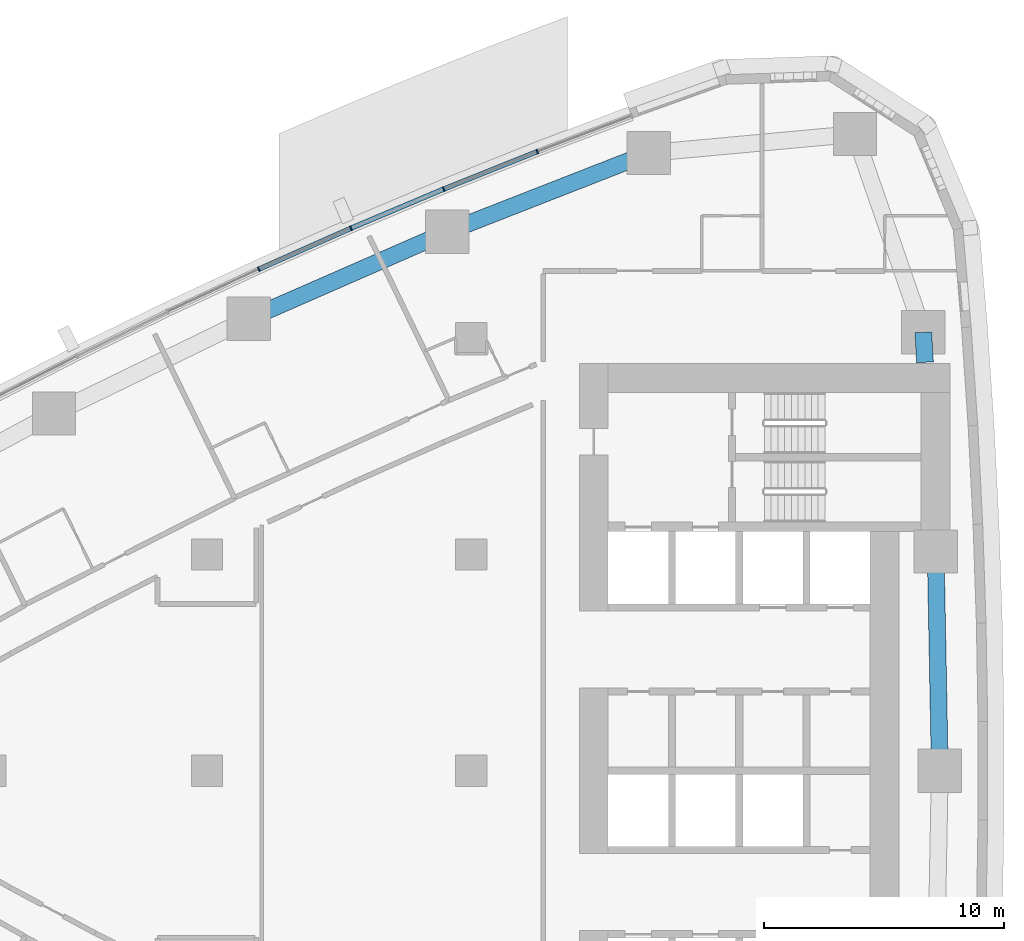
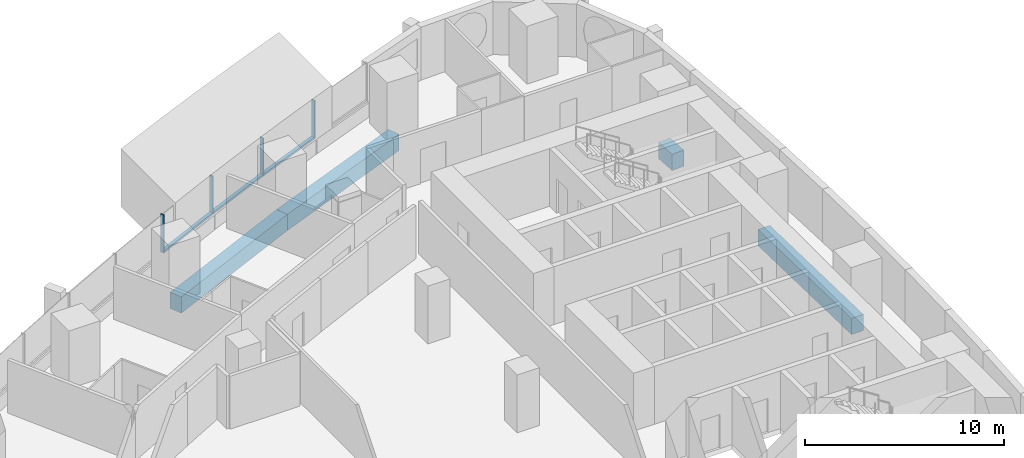
# One storey, part 6 of 18: 7 members, 4 beams, 2 elements without a shape of their own.
"""IFC4 building model written with IfcOpenShell, lengths in metres."""

import ifcopenshell
import ifcopenshell.guid

model = None  # the IFC model being written
_history = None  # IfcOwnerHistory: only IFC2X3 demands one
_inside = {}  # id of a spatial element -> (the spatial element, [elements in it])
_under = {}  # id of a project, library or spatial element -> (it, [spatial elements below it])
_declared = {}  # id of a project -> (the project, [libraries it declares])
_typed = {}  # id of a type object -> (the type object, [elements of that type])
_made_of = {}  # id of a material, layer set ... -> (it, [elements and type objects made of it])


def new_model(schema):
    """Start an empty IFC model of exactly this schema.

    Asked for "IFC4X3", IfcOpenShell would pick the latest addendum, in which some entities
    have other attributes; the version numbers below select the first issue.
    IFC2X3 requires an IfcOwnerHistory on every rooted entity: one is made here for all.
    """
    global model, _history
    if schema == "IFC4X3":
        model = ifcopenshell.file(schema_version=(4, 3, 0, 0))
    else:
        model = ifcopenshell.file(schema=schema)
    _inside.clear()
    _under.clear()
    _declared.clear()
    _typed.clear()
    _made_of.clear()
    _history = None
    if model.schema == "IFC2X3":
        org = make("IfcOrganization", Name="unknown")
        user = make(
            "IfcPersonAndOrganization",
            ThePerson=make("IfcPerson", FamilyName="unknown"),
            TheOrganization=org,
        )
        app = make(
            "IfcApplication",
            ApplicationDeveloper=org,
            Version="unknown",
            ApplicationFullName="unknown",
            ApplicationIdentifier="unknown",
        )
        _history = make(
            "IfcOwnerHistory",
            OwningUser=user,
            OwningApplication=app,
            ChangeAction="ADDED",
            CreationDate=0,
        )
    return model


def make(cls, **values):
    """One entity of the class cls with the attributes given. An attribute that is None is left unset."""
    return model.create_entity(
        cls, **{name: value for name, value in values.items() if value is not None}
    )


def rooted(cls, **values):
    """An entity with a GlobalId (a new one), such as an element, a storey or a relation."""
    return make(cls, GlobalId=ifcopenshell.guid.new(), OwnerHistory=_history, **values)


def si_unit(unit_type, name, prefix=None):
    """IfcSIUnit, for example si_unit("LENGTHUNIT", "METRE", prefix="MILLI")."""
    return make("IfcSIUnit", UnitType=unit_type, Prefix=prefix, Name=name)


def assignment(units):
    """IfcUnitAssignment: the units of a project."""
    return None if units is None else make("IfcUnitAssignment", Units=units)


def point(xyz):
    """IfcCartesianPoint."""
    return None if xyz is None else make("IfcCartesianPoint", Coordinates=xyz)


def direction(xyz):
    """IfcDirection."""
    return None if xyz is None else make("IfcDirection", DirectionRatios=xyz)


def frame(location, z_axis=None, x_axis=None):
    """IfcAxis2Placement3D, a coordinate frame: its origin and axes. An axis left out is left unset."""
    return make(
        "IfcAxis2Placement3D",
        Location=point(location),
        Axis=direction(z_axis),
        RefDirection=direction(x_axis),
    )


def frame_2d(location, x_axis=None):
    """IfcAxis2Placement2D, a coordinate frame in the plane: its origin and x axis."""
    return make(
        "IfcAxis2Placement2D", Location=point(location), RefDirection=direction(x_axis)
    )


def origin():
    """The frame at (0, 0, 0) with its axes left unset."""
    return frame((0.0, 0.0, 0.0))


def origin_2d():
    """The frame at (0, 0) in the plane with its x axis left unset."""
    return frame_2d((0.0, 0.0))


def place(relative_to, where):
    """IfcLocalPlacement: puts the frame where relative to a parent placement (None: the world)."""
    return make(
        "IfcLocalPlacement", PlacementRelTo=relative_to, RelativePlacement=where
    )


def context(
    kind, dimensions, precision=None, world=None, true_north=None, identifier=None
):
    """IfcGeometricRepresentationContext, for example the 3D "Model" context."""
    return make(
        "IfcGeometricRepresentationContext",
        ContextIdentifier=identifier,
        ContextType=kind,
        CoordinateSpaceDimension=dimensions,
        Precision=precision,
        WorldCoordinateSystem=world,
        TrueNorth=true_north,
    )


def subcontext(parent, identifier, kind, view, scale=None):
    """IfcGeometricRepresentationSubContext, for example "Body" below "Model"."""
    return make(
        "IfcGeometricRepresentationSubContext",
        ContextIdentifier=identifier,
        ContextType=kind,
        ParentContext=parent,
        TargetScale=scale,
        TargetView=view,
    )


def project(units=None, contexts=None):
    """IfcProject with its units and contexts."""
    return rooted(
        "IfcProject",
        Name="project",
        RepresentationContexts=contexts,
        UnitsInContext=assignment(units),
    )


def spatial(cls, under=None, at=None, **own):
    """A site, building, storey or space (cls), placed at a placement, below another one or the project."""
    s = rooted(cls, ObjectPlacement=at, **own)
    if under is not None:
        _under.setdefault(under.id(), (under, []))[1].append(s)
    return s


def profile(cls, at=None, kind="AREA", **sizes):
    """A parametric profile (cls). Its sizes go by their IFC names, for example OverallWidth=200.0."""
    return make(cls, ProfileType=kind, Position=at, **sizes)


def rectangle(**sizes):
    """IfcRectangleProfileDef."""
    return profile("IfcRectangleProfileDef", **sizes)


def extrude(swept, where, along, depth):
    """IfcExtrudedAreaSolid: the profile swept, set in the frame where, extruded along a direction by depth."""
    return make(
        "IfcExtrudedAreaSolid",
        SweptArea=swept,
        Position=where,
        ExtrudedDirection=direction(along),
        Depth=depth,
    )


def shape(context_of_items, identifier, shape_type, items):
    """IfcShapeRepresentation: the items that make up one representation, for example the "Body"."""
    return make(
        "IfcShapeRepresentation",
        ContextOfItems=context_of_items,
        RepresentationIdentifier=identifier,
        RepresentationType=shape_type,
        Items=items,
    )


def material(Name=None, Category=None):
    """IfcMaterial."""
    return make("IfcMaterial", Name=Name, Category=Category)


def layer(
    of_material, thickness, ventilated=None, Name=None, Category=None, Priority=None
):
    """IfcMaterialLayer: one layer of a wall or slab, of a material (None: an air gap)."""
    return make(
        "IfcMaterialLayer",
        Material=of_material,
        LayerThickness=thickness,
        IsVentilated=ventilated,
        Name=Name,
        Category=Category,
        Priority=Priority,
    )


def layer_set(layers, Name=None):
    """IfcMaterialLayerSet."""
    return make("IfcMaterialLayerSet", MaterialLayers=layers, LayerSetName=Name)


def material_profile(
    of_material, cross_section, Name=None, Category=None, Priority=None
):
    """IfcMaterialProfile: a cross section and its material."""
    return make(
        "IfcMaterialProfile",
        Name=Name,
        Material=of_material,
        Profile=cross_section,
        Priority=Priority,
        Category=Category,
    )


def profile_set(profiles, Name=None, composite=None):
    """IfcMaterialProfileSet."""
    return make(
        "IfcMaterialProfileSet",
        Name=Name,
        MaterialProfiles=profiles,
        CompositeProfile=composite,
    )


def made_of(thing, what):
    """Note that an element or type object is made of a material, layer set ...; save() writes the relation."""
    if what is not None:
        _made_of.setdefault(what.id(), (what, []))[1].append(thing)
    return thing


def type_object(cls, material=None, **own):
    """A type object (cls), such as IfcWallType, which elements share."""
    return made_of(rooted(cls, **own), material)


def element(
    cls,
    number,
    at=None,
    inside=None,
    cuts=None,
    type_object=None,
    material=None,
    context=None,
    identifier="Body",
    shape_type=None,
    held_by="IfcProductDefinitionShape",
    body=None,
    shapes=None,
    **own,
):
    """One element of the class cls, such as IfcWall. Its Tag is "e" and its number.

    at: its placement. inside: the storey or other place that contains it. cuts: it is an
    opening in that element (IfcRelVoidsElement). A single representation is given by context,
    identifier, shape_type and body (its items); several are given by shapes. held_by: the class
    of the entity that holds the representations. save() writes the other relations.
    """
    e = rooted(cls, Tag="e%d" % number, ObjectPlacement=at, **own)
    if body is not None:
        shapes = [shape(context, identifier, shape_type, body)]
    if shapes is not None:
        e.Representation = make(held_by, Representations=shapes)
    if inside is not None:
        _inside.setdefault(inside.id(), (inside, []))[1].append(e)
    if cuts is not None:
        rooted(
            "IfcRelVoidsElement", RelatingBuildingElement=cuts, RelatedOpeningElement=e
        )
    if type_object is not None:
        _typed.setdefault(type_object.id(), (type_object, []))[1].append(e)
    return made_of(e, material)


def aggregate(whole, parts):
    """IfcRelAggregates: a whole, such as a stair, and the parts it consists of."""
    return rooted("IfcRelAggregates", RelatingObject=whole, RelatedObjects=parts)


def save(model, path):
    """Write the relations noted so far, then the file.

    IfcRelAggregates (storeys below a building ...), IfcRelContainedInSpatialStructure (elements
    in a storey), IfcRelDefinesByType, IfcRelAssociatesMaterial and IfcRelDeclares: one each for
    every whole, place, type object, material and project.
    """
    for whole, parts in _under.values():
        aggregate(whole, parts)
    for where, things in _inside.values():
        rooted(
            "IfcRelContainedInSpatialStructure",
            RelatedElements=things,
            RelatingStructure=where,
        )
    for kind, things in _typed.values():
        rooted("IfcRelDefinesByType", RelatedObjects=things, RelatingType=kind)
    for what, things in _made_of.values():
        rooted("IfcRelAssociatesMaterial", RelatedObjects=things, RelatingMaterial=what)
    for by, libraries in _declared.values():
        rooted("IfcRelDeclares", RelatingContext=by, RelatedDefinitions=libraries)
    model.write(path)


model = new_model("IFC4")

# Units and contexts
model_context = context("Model", 3, precision=1e-05, world=origin(), true_north=direction((0.0, 1.0)))
body_context = subcontext(model_context, "Body", "Model", "MODEL_VIEW")
ifc_project = project(units=[si_unit("LENGTHUNIT", "METRE"), si_unit("AREAUNIT", "SQUARE_METRE"), si_unit("VOLUMEUNIT", "CUBIC_METRE"), si_unit("PLANEANGLEUNIT", "RADIAN"), si_unit("MASSUNIT", "GRAM", prefix="KILO")], contexts=[model_context])

# Site, building, storey
site_placement = place(None, origin())
site = spatial("IfcSite", under=ifc_project, at=site_placement, CompositionType="ELEMENT")
building_placement = place(site_placement, origin())
building = spatial("IfcBuilding", under=site, at=building_placement, Name="Ostrand Prow Hotel Tower", CompositionType="ELEMENT")
storey_placement = place(building_placement, frame((0.0, 0.0, 57.35009765625)))
storey = spatial("IfcBuildingStorey", under=building, at=storey_placement, Name="L12", CompositionType="ELEMENT", Elevation=57.35009765625)

# Beams
ifc_material_1 = material(Name="Concrete C80/95", Category="concrete")
ifc_material_profile_1 = material_profile(ifc_material_1, rectangle(XDim=0.699951171875, YDim=1.0, at=origin_2d()), Name="RC 700x1000")
ifc_profile_set_1 = profile_set([ifc_material_profile_1], Name="Concrete C80/95")
beam_type = type_object("IfcBeamType", Name="Edge beam 700x1000 C80/95", PredefinedType="SPANDREL", material=ifc_profile_set_1)
beam_1_placement = place(storey_placement, frame((64.5, 0.0, -0.800048828125), z_axis=(-0.018793471688, 0.999823387115, 0.0), x_axis=(-0.999823387115, -0.018793471688, 0.0)))
element("IfcBeam", 1, at=beam_1_placement, inside=storey, type_object=beam_type, Name="Edge beam B3-B4", PredefinedType="SPANDREL", context=body_context, shape_type="SweptSolid", body=[
    extrude(rectangle(XDim=0.699951171875, YDim=1.0, at=origin_2d()), origin(), (0.0, 0.0, 1.0), 9.132568359375),
])
beam_2_placement = place(storey_placement, frame((63.8837890625, 17.0, -0.800048828125), z_axis=(-0.056215946509, 0.998418633319, 0.0), x_axis=(-0.998418633319, -0.056215946509, 0.0)))
element("IfcBeam", 2, at=beam_2_placement, inside=storey, type_object=beam_type, Name="Edge beam B4-B5", PredefinedType="SPANDREL", context=body_context, shape_type="SweptSolid", body=[
    extrude(rectangle(XDim=0.699951171875, YDim=1.0, at=origin_2d()), origin(), (0.0, 0.0, 1.0), 1.250732421875),
])
for number, where, z_axis, x_axis, name in (
    (3, (52.3916015625, 25.710205078125, -0.800048828125), (-0.931329480916, -0.364177701098, 0.0), (0.364177701098, -0.931329480916, 0.0), "Edge beam N1-N2"),
    (4, (43.997802734375, 22.427978515625, -0.800048828125), (-0.916095776162, -0.400959510297, 0.0), (0.400959510297, -0.916095776162, 0.0), "Edge beam N2-N3"),
):
    element("IfcBeam", number, at=place(storey_placement, frame(where, z_axis=z_axis, x_axis=x_axis)), inside=storey, type_object=beam_type, Name=name, PredefinedType="SPANDREL", context=body_context, shape_type="SweptSolid", body=[
        extrude(rectangle(XDim=0.699951171875, YDim=1.0, at=origin_2d()), origin(), (0.0, 0.0, 1.0), 9.0126953125),
    ])

# Curtain wall, members
ifc_material_2 = material(Name="Insulated glass in bronze anodised frame", Category="glass")
ifc_layer = layer(ifc_material_2, 0.199951171875)
ifc_layer_set = layer_set([ifc_layer], Name="Insulated glass in bronze anodised frame")
curtain_wall_type = type_object("IfcCurtainWallType", Name="Strip curtain wall, fritted glass over bronze spandrel", PredefinedType="NOTDEFINED", material=ifc_layer_set)
curtain_wall_1_placement = place(storey_placement, origin())
curtain_wall_1 = element("IfcCurtainWall", 5, at=curtain_wall_1_placement, inside=storey, type_object=curtain_wall_type, Name="CW1 run CWN1", PredefinedType="NOTDEFINED")
ifc_material_3 = material(Name="Bronze anodised aluminium", Category="aluminium")
ifc_material_profile_2 = material_profile(ifc_material_3, rectangle(XDim=0.199951171875, YDim=0.06005859375, at=origin_2d()), Name="Mullion 60x200 bronze anodised aluminium")
ifc_profile_set_2 = profile_set([ifc_material_profile_2], Name="Bronze anodised aluminium")
member_type_1 = type_object("IfcMemberType", Name="Mullion 60x200 bronze anodised aluminium", PredefinedType="MULLION", material=ifc_profile_set_2)
member_1_placement = place(storey_placement, frame((47.7529296875, 25.769775390625, 0.89990234375), z_axis=(0.0, 0.0, 1.0), x_axis=(0.371873380669, -0.928283463577, 0.0)))
member_1 = element("IfcMember", 6, at=member_1_placement, type_object=member_type_1, Name="CW1 mullion 2", PredefinedType="MULLION", context=body_context, shape_type="SweptSolid", body=[
    extrude(rectangle(XDim=0.199951171875, YDim=0.06005859375, at=origin_2d()), origin(), (0.0, 0.0, 1.0), 2.35009765625),
])
member_2_placement = place(storey_placement, frame((43.859619140625, 24.210205078125, 0.89990234375), z_axis=(0.0, 0.0, 1.0), x_axis=(0.371873380669, -0.928283463577, 0.0)))
member_2 = element("IfcMember", 7, at=member_2_placement, type_object=member_type_1, Name="CW1 mullion 3", PredefinedType="MULLION", context=body_context, shape_type="SweptSolid", body=[
    extrude(rectangle(XDim=0.199951171875, YDim=0.06005859375, at=origin_2d()), origin(), (0.0, 0.0, 1.0), 2.35009765625),
])

curtain_wall_2_placement = place(storey_placement, origin())
curtain_wall_2 = element("IfcCurtainWall", 8, at=curtain_wall_2_placement, inside=storey, type_object=curtain_wall_type, Name="CW1 run CWN2", PredefinedType="NOTDEFINED")
member_3_placement = place(storey_placement, frame((39.99560546875, 22.5791015625, 0.89990234375), z_axis=(0.0, 0.0, 1.0), x_axis=(0.405779757666, -0.913970890274, 0.0)))
member_3 = element("IfcMember", 9, at=member_3_placement, type_object=member_type_1, Name="CW1 mullion 2", PredefinedType="MULLION", context=body_context, shape_type="SweptSolid", body=[
    extrude(rectangle(XDim=0.199951171875, YDim=0.06005859375, at=origin_2d()), origin(), (0.0, 0.0, 1.0), 2.35009765625),
])
member_4_placement = place(storey_placement, frame((36.162109375, 20.876953125, 0.89990234375), z_axis=(0.0, 0.0, 1.0), x_axis=(0.405779757666, -0.913970890274, 0.0)))
member_4 = element("IfcMember", 10, at=member_4_placement, type_object=member_type_1, Name="CW1 mullion 3", PredefinedType="MULLION", context=body_context, shape_type="SweptSolid", body=[
    extrude(rectangle(XDim=0.199951171875, YDim=0.06005859375, at=origin_2d()), origin(), (0.0, 0.0, 1.0), 2.35009765625),
])

# Member
ifc_material_4 = material(Name="Bronze anodised aluminium", Category="aluminium")
ifc_material_profile_3 = material_profile(ifc_material_4, rectangle(XDim=0.199951171875, YDim=0.1201171875, at=origin_2d()), Name="Transom 120x200 bronze anodised aluminium")
ifc_profile_set_3 = profile_set([ifc_material_profile_3], Name="Bronze anodised aluminium")
member_type_2 = type_object("IfcMemberType", Name="Transom 120x200 bronze anodised aluminium", PredefinedType="USERDEFINED", material=ifc_profile_set_3)
member_5_placement = place(storey_placement, frame((47.72509765625, 25.7587890625, 0.9599609375), z_axis=(-0.928264761225, -0.371920062739, 0.0), x_axis=(0.371920062739, -0.928264761225, 0.0)))
member_5 = element("IfcMember", 11, at=member_5_placement, type_object=member_type_2, Name="CW1 transom 2.1", ObjectType="TRANSOM", PredefinedType="USERDEFINED", context=body_context, shape_type="SweptSolid", body=[
    extrude(rectangle(XDim=0.199951171875, YDim=0.1201171875, at=origin_2d()), origin(), (0.0, 0.0, 1.0), 4.13427734375),
])

aggregate(curtain_wall_1, [member_1, member_2, member_5])

member_6_placement = place(storey_placement, frame((43.831787109375, 24.198486328125, 0.9599609375), z_axis=(-0.921284828297, -0.388888499637, 0.0), x_axis=(0.388888499637, -0.921284828297, 0.0)))
member_6 = element("IfcMember", 12, at=member_6_placement, type_object=member_type_2, Name="CW1 transom 1.1", ObjectType="TRANSOM", PredefinedType="USERDEFINED", context=body_context, shape_type="SweptSolid", body=[
    extrude(rectangle(XDim=0.199951171875, YDim=0.1201171875, at=origin_2d()), origin(), (0.0, 0.0, 1.0), 4.134033203125),
])

member_7_placement = place(storey_placement, frame((39.968017578125, 22.56689453125, 0.9599609375), z_axis=(-0.913957599094, -0.405809693156, 0.0), x_axis=(0.405809693156, -0.913957599094, 0.0)))
member_7 = element("IfcMember", 13, at=member_7_placement, type_object=member_type_2, Name="CW1 transom 2.1", ObjectType="TRANSOM", PredefinedType="USERDEFINED", context=body_context, shape_type="SweptSolid", body=[
    extrude(rectangle(XDim=0.199951171875, YDim=0.1201171875, at=origin_2d()), origin(), (0.0, 0.0, 1.0), 4.13427734375),
])

aggregate(curtain_wall_2, [member_3, member_4, member_6, member_7])

save(model, "model.ifc")
